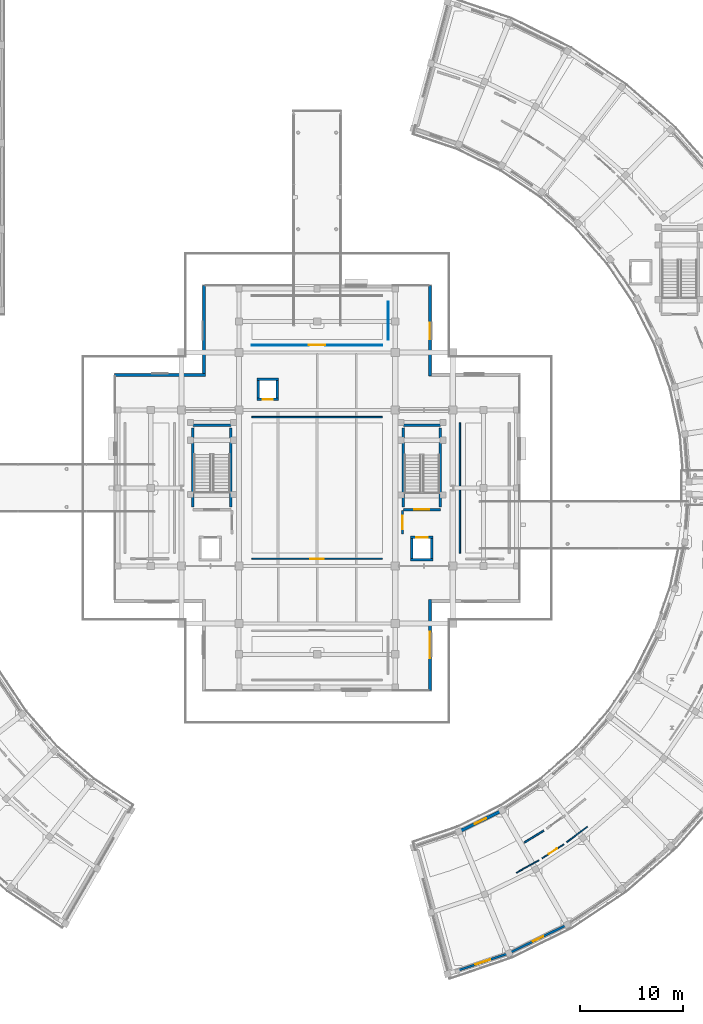
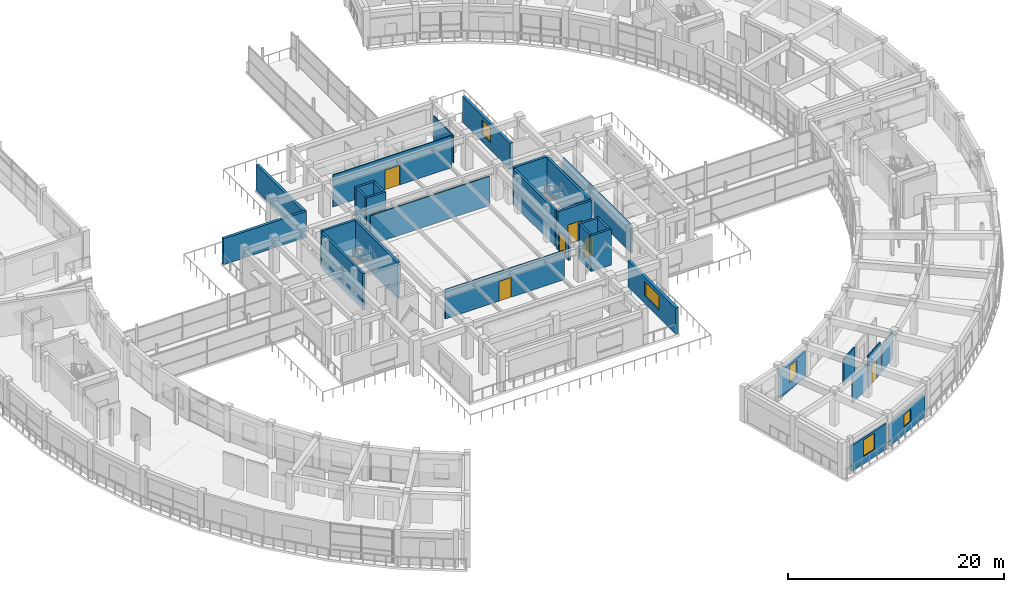
# One storey, part 49 of 72: 32 walls, 7 doors, 5 windows, 12 openings.
"""IFC4 building model written with IfcOpenShell, lengths in metres."""

from ifc_helpers import new_model, si_unit, direction, frame, frame_2d, origin, place, context, subcontext, project, spatial, rectangle, extrude, material, layer, layer_set, type_object, element, fill, save


model = new_model("IFC4")

# Units and contexts
model_context = context("Model", 3, precision=1e-05, world=origin(), true_north=direction((0.0, 1.0)))
body_context = subcontext(model_context, "Body", "Model", "MODEL_VIEW")
ifc_project = project(units=[si_unit("LENGTHUNIT", "METRE"), si_unit("AREAUNIT", "SQUARE_METRE"), si_unit("VOLUMEUNIT", "CUBIC_METRE"), si_unit("PLANEANGLEUNIT", "RADIAN"), si_unit("MASSUNIT", "GRAM", prefix="KILO")], contexts=[model_context])

# Site, building, storey
site_placement = place(None, origin())
site = spatial("IfcSite", under=ifc_project, at=site_placement, CompositionType="ELEMENT")
building_placement = place(site_placement, origin())
building = spatial("IfcBuilding", under=site, at=building_placement, Name="Saryqyr Civic Hall", CompositionType="ELEMENT")
storey_placement = place(building_placement, frame((0.0, 0.0, 17.25)))
storey = spatial("IfcBuildingStorey", under=building, at=storey_placement, Name="L04", CompositionType="ELEMENT", Elevation=17.25)

# Wall, opening, window
ifc_material_1 = material(Name="Precast concrete C40/50", Category="concrete")
ifc_layer_1 = layer(ifc_material_1, 0.219970703125, Name="Precast concrete C40/50")
ifc_layer_set_1 = layer_set([ifc_layer_1], Name="Precast concrete C40/50")
wall_type_1 = type_object("IfcWallType", Name="ENV-WAL-EXT-220", PredefinedType="STANDARD", material=ifc_layer_set_1)
wall_1_placement = place(storey_placement, frame((75.44140625, 38.619384765625, 0.0), z_axis=(0.0, 0.0, 1.0), x_axis=(-0.947186506556, -0.320683210969, 0.0)))
wall_1 = element("IfcWall", 1, at=wall_1_placement, inside=storey, type_object=wall_type_1, Name="Exterior wall V5-EWO-L04-00", PredefinedType="STANDARD", context=body_context, shape_type="SweptSolid", body=[
    extrude(rectangle(XDim=4.87841796875, YDim=0.219970703125, at=frame_2d((2.439208984375, 0.0))), origin(), (0.0, 0.0, 1.0), 2.93505859375),
])
opening_1_placement = place(wall_1_placement, frame((1.68896484375, 0.0, 0.85009765625)))
opening_1 = element("IfcOpeningElement", 2, at=opening_1_placement, cuts=wall_1, Name="Opening W-26", PredefinedType="OPENING", context=body_context, shape_type="SweptSolid", body=[
    extrude(rectangle(XDim=1.5, YDim=1.85009765625, at=frame_2d((0.75, 0.925048828125))), frame((0.0, 0.119873046875, 0.0), z_axis=(0.0, -1.0, 0.0), x_axis=(1.0, 0.0, 0.0)), (0.0, 0.0, 1.0), 0.239990234375),
])
ifc_material_2 = material(Name="Anodised aluminium and triple low-E glass", Category="aluminium")
window_type_1 = type_object("IfcWindowType", Name="ENV-WIN-W26", PartitioningType="SINGLE_PANEL", PredefinedType="WINDOW", material=ifc_material_2)
window_1_placement = place(opening_1_placement, origin())
window_1 = element("IfcWindow", 3, at=window_1_placement, inside=storey, type_object=window_type_1, Name="Exterior ribbon window V5-L04-00", OverallHeight=1.85009765625, OverallWidth=1.5, PartitioningType="SINGLE_PANEL", PredefinedType="WINDOW", context=body_context, shape_type="SweptSolid", body=[
    extrude(rectangle(XDim=1.5, YDim=1.85009765625, at=frame_2d((0.75, 0.925048828125))), frame((0.0, 0.030029296875, 0.0), z_axis=(0.0, -1.0, 0.0), x_axis=(1.0, 0.0, 0.0)), (0.0, 0.0, 1.0), 0.06005859375),
])
fill(opening_1, window_1)

wall_2_placement = place(storey_placement, frame((81.1240234375, 41.368408203125, 0.0), z_axis=(0.0, 0.0, 1.0), x_axis=(-0.897990135392, -0.440015586927, 0.0)))
wall_2 = element("IfcWall", 4, at=wall_2_placement, inside=storey, type_object=wall_type_1, Name="Exterior wall V5-EWO-L04-01", PredefinedType="STANDARD", context=body_context, shape_type="SweptSolid", body=[
    extrude(rectangle(XDim=5.8046875, YDim=0.219970703125, at=frame_2d((2.90234375, 0.0))), origin(), (0.0, 0.0, 1.0), 2.449951171875),
])
opening_2_placement = place(wall_2_placement, frame((2.35205078125, 0.0, 0.85009765625)))
opening_2 = element("IfcOpeningElement", 5, at=opening_2_placement, cuts=wall_2, Name="Opening W-01", PredefinedType="OPENING", context=body_context, shape_type="SweptSolid", body=[
    extrude(rectangle(XDim=1.10009765625, YDim=1.35009765625, at=frame_2d((0.550048828125, 0.675048828125))), frame((0.0, 0.119873046875, 0.0), z_axis=(0.0, -1.0, 0.0), x_axis=(1.0, 0.0, 0.0)), (0.0, 0.0, 1.0), 0.239990234375),
])
window_type_2 = type_object("IfcWindowType", Name="ENV-WIN-W01", PartitioningType="SINGLE_PANEL", PredefinedType="WINDOW", material=ifc_material_2)
window_2_placement = place(opening_2_placement, origin())
window_2 = element("IfcWindow", 6, at=window_2_placement, inside=storey, type_object=window_type_2, Name="Exterior ribbon window V5-L04-01", OverallHeight=1.35009765625, OverallWidth=1.10009765625, PartitioningType="SINGLE_PANEL", PredefinedType="WINDOW", context=body_context, shape_type="SweptSolid", body=[
    extrude(rectangle(XDim=1.10009765625, YDim=1.35009765625, at=frame_2d((0.550048828125, 0.675048828125))), frame((0.0, 0.030029296875, 0.0), z_axis=(0.0, -1.0, 0.0), x_axis=(1.0, 0.0, 0.0)), (0.0, 0.0, 1.0), 0.06005859375),
])
fill(opening_2, window_2)

# Walls
ifc_layer_2 = layer(ifc_material_1, 0.2900390625, Name="Precast concrete C40/50")
ifc_layer_set_2 = layer_set([ifc_layer_2], Name="Precast concrete C40/50")
wall_type_2 = type_object("IfcWallType", Name="ENV-WAL-EXT-290", PredefinedType="STANDARD", material=ifc_layer_set_2)
for number, where, z_axis, x_axis, name in (
    (7, (37.280029296875, 95.0, 0.0), (0.0, 0.0, 1.0), (1.0, 0.0, 0.0), "Exterior wall V1-EW-L04-03"),
    (8, (46.0, 94.8798828125, 0.0), (0.0, 0.0, 1.0), (0.0, 1.0, 0.0), "Exterior wall V1-EW-L04-04"),
):
    element("IfcWall", number, at=place(storey_placement, frame(where, z_axis=z_axis, x_axis=x_axis)), inside=storey, type_object=wall_type_2, Name=name, PredefinedType="STANDARD", context=body_context, shape_type="SweptSolid", body=[
        extrude(rectangle(XDim=8.840087890625, YDim=0.2900390625, at=frame_2d((4.419921875, 0.0))), origin(), (0.0, 0.0, 1.0), 2.93505859375),
    ])

# Wall, opening, window
wall_3_placement = place(storey_placement, frame((68.0, 103.719970703125, 0.0), z_axis=(0.0, 0.0, 1.0), x_axis=(0.0, -1.0, 0.0)))
wall_3 = element("IfcWall", 9, at=wall_3_placement, inside=storey, type_object=wall_type_2, Name="Exterior wall V1-EW-L04-06", PredefinedType="STANDARD", context=body_context, shape_type="SweptSolid", body=[
    extrude(rectangle(XDim=8.840087890625, YDim=0.2900390625, at=frame_2d((4.419921875, 0.0))), origin(), (0.0, 0.0, 1.0), 2.93505859375),
])
opening_3_placement = place(wall_3_placement, frame((3.6201171875, 0.0, 0.85009765625)))
opening_3 = element("IfcOpeningElement", 10, at=opening_3_placement, cuts=wall_3, Name="Opening W-19", PredefinedType="OPENING", context=body_context, shape_type="SweptSolid", body=[
    extrude(rectangle(XDim=1.60009765625, YDim=1.64990234375, at=frame_2d((0.800048828125, 0.824951171875))), frame((0.0, 0.155029296875, 0.0), z_axis=(0.0, -1.0, 0.0), x_axis=(1.0, 0.0, 0.0)), (0.0, 0.0, 1.0), 0.31005859375),
])
window_type_3 = type_object("IfcWindowType", Name="ENV-WIN-W19", PartitioningType="SINGLE_PANEL", PredefinedType="WINDOW", material=ifc_material_2)
window_3_placement = place(opening_3_placement, origin())
window_3 = element("IfcWindow", 11, at=window_3_placement, inside=storey, type_object=window_type_3, Name="Chamber cluster window L04-06", OverallHeight=1.64990234375, OverallWidth=1.60009765625, PartitioningType="SINGLE_PANEL", PredefinedType="WINDOW", context=body_context, shape_type="SweptSolid", body=[
    extrude(rectangle(XDim=1.60009765625, YDim=1.64990234375, at=frame_2d((0.800048828125, 0.824951171875))), frame((0.0, 0.030029296875, 0.0), z_axis=(0.0, -1.0, 0.0), x_axis=(1.0, 0.0, 0.0)), (0.0, 0.0, 1.0), 0.06005859375),
])
fill(opening_3, window_3)

wall_4_placement = place(storey_placement, frame((68.0, 73.1201171875, 0.0), z_axis=(0.0, 0.0, 1.0), x_axis=(0.0, -1.0, 0.0)))
wall_4 = element("IfcWall", 12, at=wall_4_placement, inside=storey, type_object=wall_type_2, Name="Exterior wall V1-EW-L04-10", PredefinedType="STANDARD", context=body_context, shape_type="SweptSolid", body=[
    extrude(rectangle(XDim=8.840087890625, YDim=0.2900390625, at=frame_2d((4.419921875, 0.0))), origin(), (0.0, 0.0, 1.0), 2.93505859375),
])
opening_4_placement = place(wall_4_placement, frame((3.1201171875, 0.0, 0.85009765625)))
opening_4 = element("IfcOpeningElement", 13, at=opening_4_placement, cuts=wall_4, Name="Opening W-23", PredefinedType="OPENING", context=body_context, shape_type="SweptSolid", body=[
    extrude(rectangle(XDim=2.60009765625, YDim=1.64990234375, at=frame_2d((1.300048828125, 0.824951171875))), frame((0.0, 0.155029296875, 0.0), z_axis=(0.0, -1.0, 0.0), x_axis=(1.0, 0.0, 0.0)), (0.0, 0.0, 1.0), 0.31005859375),
])
window_type_4 = type_object("IfcWindowType", Name="ENV-WIN-W23", PartitioningType="SINGLE_PANEL", PredefinedType="WINDOW", material=ifc_material_2)
window_4_placement = place(opening_4_placement, origin())
window_4 = element("IfcWindow", 14, at=window_4_placement, inside=storey, type_object=window_type_4, Name="Chamber cluster window L04-10", OverallHeight=1.64990234375, OverallWidth=2.60009765625, PartitioningType="SINGLE_PANEL", PredefinedType="WINDOW", context=body_context, shape_type="SweptSolid", body=[
    extrude(rectangle(XDim=2.60009765625, YDim=1.64990234375, at=frame_2d((1.300048828125, 0.824951171875))), frame((0.0, 0.030029296875, 0.0), z_axis=(0.0, -1.0, 0.0), x_axis=(1.0, 0.0, 0.0)), (0.0, 0.0, 1.0), 0.06005859375),
])
fill(opening_4, window_4)

ifc_layer_3 = layer(ifc_material_1, 0.31005859375, Name="Precast concrete C40/50")
ifc_layer_set_3 = layer_set([ifc_layer_3], Name="Precast concrete C40/50")
wall_type_3 = type_object("IfcWallType", Name="ENV-WAL-EXT-310", PredefinedType="STANDARD", material=ifc_layer_set_3)
wall_5_placement = place(storey_placement, frame((71.03271484375, 50.647705078125, 0.0), z_axis=(0.0, 0.0, 1.0), x_axis=(0.897962186219, 0.440072621417, 0.0)))
wall_5 = element("IfcWall", 15, at=wall_5_placement, inside=storey, type_object=wall_type_3, Name="Exterior wall V5-EWI-L04-01", PredefinedType="STANDARD", context=body_context, shape_type="SweptSolid", body=[
    extrude(rectangle(XDim=4.15185546875, YDim=0.31005859375, at=frame_2d((2.075927734375, 0.0))), origin(), (0.0, 0.0, 1.0), 2.93505859375),
])
opening_5_placement = place(wall_5_placement, frame((1.450927734375, 0.0, 0.85009765625)))
opening_5 = element("IfcOpeningElement", 16, at=opening_5_placement, cuts=wall_5, Name="Opening W-25", PredefinedType="OPENING", context=body_context, shape_type="SweptSolid", body=[
    extrude(rectangle(XDim=1.25, YDim=1.85009765625, at=frame_2d((0.625, 0.925048828125))), frame((0.0, 0.1650390625, 0.0), z_axis=(0.0, -1.0, 0.0), x_axis=(1.0, 0.0, 0.0)), (0.0, 0.0, 1.0), 0.330078125),
])
window_type_5 = type_object("IfcWindowType", Name="ENV-WIN-W25", PartitioningType="SINGLE_PANEL", PredefinedType="WINDOW", material=ifc_material_2)
window_5_placement = place(opening_5_placement, origin())
window_5 = element("IfcWindow", 17, at=window_5_placement, inside=storey, type_object=window_type_5, Name="Courtyard window V5-L04-01", OverallHeight=1.85009765625, OverallWidth=1.25, PartitioningType="SINGLE_PANEL", PredefinedType="WINDOW", context=body_context, shape_type="SweptSolid", body=[
    extrude(rectangle(XDim=1.25, YDim=1.85009765625, at=frame_2d((0.625, 0.925048828125))), frame((0.0, 0.030029296875, 0.0), z_axis=(0.0, -1.0, 0.0), x_axis=(1.0, 0.0, 0.0)), (0.0, 0.0, 1.0), 0.06005859375),
])
fill(opening_5, window_5)

# Wall, opening, door
ifc_material_3 = material(Name="Autoclaved aerated concrete blockwork", Category="masonry")
ifc_layer_4 = layer(ifc_material_3, 0.199951171875, Name="Autoclaved aerated concrete blockwork")
ifc_layer_set_4 = layer_set([ifc_layer_4], Name="Autoclaved aerated concrete blockwork")
wall_type_4 = type_object("IfcWallType", Name="INT-WAL-FIR-200", PredefinedType="PARTITIONING", material=ifc_layer_set_4)
wall_6_placement = place(storey_placement, frame((65.300048828125, 79.5, 0.0), z_axis=(0.0, 0.0, 1.0), x_axis=(0.0, 1.0, 0.0)))
wall_6 = element("IfcWall", 18, at=wall_6_placement, inside=storey, type_object=wall_type_4, Name="Firefighting lift lobby enclosure wall LF-02 L04", PredefinedType="PARTITIONING", context=body_context, shape_type="SweptSolid", body=[
    extrude(rectangle(XDim=2.300048828125, YDim=0.199951171875, at=frame_2d((1.14990234375, 0.0))), origin(), (0.0, 0.0, 1.0), 2.89990234375),
])
opening_6_placement = place(wall_6_placement, frame((0.5, 0.0, 0.0)))
opening_6 = element("IfcOpeningElement", 19, at=opening_6_placement, cuts=wall_6, Name="Opening FD-01", PredefinedType="OPENING", context=body_context, shape_type="SweptSolid", body=[
    extrude(rectangle(XDim=1.300048828125, YDim=2.199951171875, at=frame_2d((0.64990234375, 1.10009765625))), frame((0.0, 0.10986328125, 0.0), z_axis=(0.0, -1.0, 0.0), x_axis=(1.0, 0.0, 0.0)), (0.0, 0.0, 1.0), 0.219970703125),
])
ifc_material_4 = material(Name="Painted galvanized steel", Category="steel")
door_type_1 = type_object("IfcDoorType", Name="INT-DR-FFLOB-1300x2200", OperationType="NOTDEFINED", PredefinedType="DOOR", material=ifc_material_4)
door_1_placement = place(opening_6_placement, origin())
door_1 = element("IfcDoor", 20, at=door_1_placement, inside=storey, type_object=door_type_1, Name="Firefighting lift lobby smoke-control door LF-02 L04", OperationType="SINGLE_SWING_LEFT", OverallHeight=2.199951171875, OverallWidth=1.300048828125, PredefinedType="DOOR", context=body_context, shape_type="SweptSolid", body=[
    extrude(rectangle(XDim=1.300048828125, YDim=2.199951171875, at=frame_2d((0.64990234375, 1.10009765625))), frame((0.0, 0.02490234375, 0.0), z_axis=(0.0, -1.0, 0.0), x_axis=(1.0, 0.0, 0.0)), (0.0, 0.0, 1.0), 0.050048828125),
])
fill(opening_6, door_1)

ifc_material_5 = material(Name="Lightweight demountable partition", Category="gypsum")
ifc_layer_5 = layer(ifc_material_5, 0.094970703125, Name="Lightweight demountable partition")
ifc_layer_set_5 = layer_set([ifc_layer_5], Name="Lightweight demountable partition")
wall_type_5 = type_object("IfcWallType", Name="INT-WAL-PRT-095", PredefinedType="PARTITIONING", material=ifc_layer_set_5)
wall_7_placement = place(storey_placement, frame((63.35009765625, 97.89990234375, 0.0), z_axis=(0.0, 0.0, 1.0), x_axis=(-1.0, 0.0, 0.0)))
wall_7 = element("IfcWall", 21, at=wall_7_placement, inside=storey, type_object=wall_type_5, Name="Interior partition PRT-SP-V1-L04-R03-W1", PredefinedType="PARTITIONING", context=body_context, shape_type="SweptSolid", body=[
    extrude(rectangle(XDim=12.7001953125, YDim=0.094970703125, at=frame_2d((6.35009765625, 0.0))), origin(), (0.0, 0.0, 1.0), 3.6201171875),
])
opening_7_placement = place(wall_7_placement, frame((5.550048828125, 0.0, 0.0)))
opening_7 = element("IfcOpeningElement", 22, at=opening_7_placement, cuts=wall_7, Name="Opening D-14", PredefinedType="OPENING", context=body_context, shape_type="SweptSolid", body=[
    extrude(rectangle(XDim=1.60009765625, YDim=2.219970703125, at=frame_2d((0.800048828125, 1.10986328125))), frame((0.0, 0.057373046875, 0.0), z_axis=(0.0, -1.0, 0.0), x_axis=(1.0, 0.0, 0.0)), (0.0, 0.0, 1.0), 0.114990234375),
])
ifc_material_6 = material(Name="Acoustic solid-core oak veneer", Category="wood")
door_type_2 = type_object("IfcDoorType", Name="INT-DR-D-14", OperationType="NOTDEFINED", PredefinedType="DOOR", material=ifc_material_6)
door_2_placement = place(opening_7_placement, origin())
door_2 = element("IfcDoor", 23, at=door_2_placement, inside=storey, type_object=door_type_2, Name="Interior door Media Broadcast Control Room", OperationType="DOUBLE_DOOR_SINGLE_SWING", OverallHeight=2.219970703125, OverallWidth=1.60009765625, PredefinedType="DOOR", context=body_context, shape_type="SweptSolid", body=[
    extrude(rectangle(XDim=1.60009765625, YDim=2.219970703125, at=frame_2d((0.800048828125, 1.10986328125))), frame((0.0, 0.02490234375, 0.0), z_axis=(0.0, -1.0, 0.0), x_axis=(1.0, 0.0, 0.0)), (0.0, 0.0, 1.0), 0.050048828125),
])
fill(opening_7, door_2)

# Wall
wall_8_placement = place(storey_placement, frame((63.89990234375, 102.14990234375, 0.0), z_axis=(0.0, 0.0, 1.0), x_axis=(0.0, -1.0, 0.0)))
element("IfcWall", 24, at=wall_8_placement, inside=storey, type_object=wall_type_5, Name="Interior partition PRT-SP-V1-L04-R03-W3", PredefinedType="PARTITIONING", context=body_context, shape_type="SweptSolid", body=[
    extrude(rectangle(XDim=3.699951171875, YDim=0.094970703125, at=frame_2d((1.85009765625, 0.0))), origin(), (0.0, 0.0, 1.0), 3.0849609375),
])

# Wall, opening, door
ifc_material_7 = material(Name="Moisture-resistant gypsum partition", Category="gypsum")
ifc_layer_6 = layer(ifc_material_7, 0.110107421875, Name="Moisture-resistant gypsum partition")
ifc_layer_set_6 = layer_set([ifc_layer_6], Name="Moisture-resistant gypsum partition")
wall_type_6 = type_object("IfcWallType", Name="INT-WAL-PRT-110", PredefinedType="PARTITIONING", material=ifc_layer_set_6)
wall_9_placement = place(storey_placement, frame((78.90234375, 47.935791015625, 0.0), z_axis=(0.0, 0.0, 1.0), x_axis=(0.838895447459, 0.544292594321, 0.0)))
wall_9 = element("IfcWall", 25, at=wall_9_placement, inside=storey, type_object=wall_type_6, Name="Interior partition PRT-SP-V5-L04-R01-W1", PredefinedType="PARTITIONING", context=body_context, shape_type="SweptSolid", body=[
    extrude(rectangle(XDim=2.516845703125, YDim=0.110107421875, at=frame_2d((1.25830078125, 0.0))), origin(), (0.0, 0.0, 1.0), 3.6201171875),
])
opening_8_placement = place(wall_9_placement, frame((0.782958984375, 0.0, 0.0)))
opening_8 = element("IfcOpeningElement", 26, at=opening_8_placement, cuts=wall_9, Name="Opening D-02", PredefinedType="OPENING", context=body_context, shape_type="SweptSolid", body=[
    extrude(rectangle(XDim=0.949951171875, YDim=2.10009765625, at=frame_2d((0.47509765625, 1.050048828125))), frame((0.0, 0.06494140625, 0.0), z_axis=(0.0, -1.0, 0.0), x_axis=(1.0, 0.0, 0.0)), (0.0, 0.0, 1.0), 0.130126953125),
])
door_type_3 = type_object("IfcDoorType", Name="INT-DR-D-02", OperationType="NOTDEFINED", PredefinedType="DOOR", material=ifc_material_6)
door_3_placement = place(opening_8_placement, origin())
door_3 = element("IfcDoor", 27, at=door_3_placement, inside=storey, type_object=door_type_3, Name="Interior door Smart-City Digital Twin & IT Suite", OperationType="SINGLE_SWING_LEFT", OverallHeight=2.10009765625, OverallWidth=0.949951171875, PredefinedType="DOOR", context=body_context, shape_type="SweptSolid", body=[
    extrude(rectangle(XDim=0.949951171875, YDim=2.10009765625, at=frame_2d((0.47509765625, 1.050048828125))), frame((0.0, 0.02490234375, 0.0), z_axis=(0.0, -1.0, 0.0), x_axis=(1.0, 0.0, 0.0)), (0.0, 0.0, 1.0), 0.050048828125),
])
fill(opening_8, door_3)

# Walls
for number, where, z_axis, x_axis, name in (
    (28, (76.394287109375, 46.527099609375, 0.0), (0.0, 0.0, 1.0), (0.8739741943, 0.485972332235, 0.0), "Interior partition PRT-SP-V5-L04-R01-W2"),
    (29, (81.30859375, 49.51171875, 0.0), (0.0, 0.0, 1.0), (0.799802067317, 0.600263819595, 0.0), "Interior partition PRT-SP-V5-L04-R01-W3"),
):
    element("IfcWall", number, at=place(storey_placement, frame(where, z_axis=z_axis, x_axis=x_axis)), inside=storey, type_object=wall_type_6, Name=name, PredefinedType="PARTITIONING", context=body_context, shape_type="SweptSolid", body=[
        extrude(rectangle(XDim=2.516845703125, YDim=0.110107421875, at=frame_2d((1.25830078125, 0.0))), origin(), (0.0, 0.0, 1.0), 2.93505859375),
    ])

# Wall, opening, door
ifc_material_8 = material(Name="Metal-stud gypsum board partition", Category="gypsum")
ifc_layer_7 = layer(ifc_material_8, 0.125, Name="Metal-stud gypsum board partition")
ifc_layer_set_7 = layer_set([ifc_layer_7], Name="Metal-stud gypsum board partition")
wall_type_7 = type_object("IfcWallType", Name="INT-WAL-PRT-125", PredefinedType="PARTITIONING", material=ifc_layer_set_7)
wall_10_placement = place(storey_placement, frame((63.35009765625, 77.10009765625, 0.0), z_axis=(0.0, 0.0, 1.0), x_axis=(-1.0, 0.0, 0.0)))
wall_10 = element("IfcWall", 30, at=wall_10_placement, inside=storey, type_object=wall_type_7, Name="Interior partition PRT-SP-V1-L04-R01-W1", PredefinedType="PARTITIONING", context=body_context, shape_type="SweptSolid", body=[
    extrude(rectangle(XDim=12.7001953125, YDim=0.125, at=frame_2d((6.35009765625, 0.0))), origin(), (0.0, 0.0, 1.0), 3.284912109375),
])
opening_9_placement = place(wall_10_placement, frame((5.699951171875, 0.0, 0.0)))
opening_9 = element("IfcOpeningElement", 31, at=opening_9_placement, cuts=wall_10, Name="Opening D-12", PredefinedType="OPENING", context=body_context, shape_type="SweptSolid", body=[
    extrude(rectangle(XDim=1.300048828125, YDim=2.219970703125, at=frame_2d((0.64990234375, 1.10986328125))), frame((0.0, 0.072509765625, 0.0), z_axis=(0.0, -1.0, 0.0), x_axis=(1.0, 0.0, 0.0)), (0.0, 0.0, 1.0), 0.14501953125),
])
door_type_4 = type_object("IfcDoorType", Name="INT-DR-D-12", OperationType="NOTDEFINED", PredefinedType="DOOR", material=ifc_material_6)
door_4_placement = place(opening_9_placement, origin())
door_4 = element("IfcDoor", 32, at=door_4_placement, inside=storey, type_object=door_type_4, Name="Interior door Council Pre-Session Assembly Lobby", OperationType="SINGLE_SWING_LEFT", OverallHeight=2.219970703125, OverallWidth=1.300048828125, PredefinedType="DOOR", context=body_context, shape_type="SweptSolid", body=[
    extrude(rectangle(XDim=1.300048828125, YDim=2.219970703125, at=frame_2d((0.64990234375, 1.10986328125))), frame((0.0, 0.02490234375, 0.0), z_axis=(0.0, -1.0, 0.0), x_axis=(1.0, 0.0, 0.0)), (0.0, 0.0, 1.0), 0.050048828125),
])
fill(opening_9, door_4)

# Walls
wall_11_placement = place(storey_placement, frame((50.64990234375, 90.89990234375, 0.0), z_axis=(0.0, 0.0, 1.0), x_axis=(1.0, 0.0, 0.0)))
element("IfcWall", 33, at=wall_11_placement, inside=storey, type_object=wall_type_7, Name="Interior partition PRT-SP-V1-L04-R01-W2", PredefinedType="PARTITIONING", context=body_context, shape_type="SweptSolid", body=[
    extrude(rectangle(XDim=12.7001953125, YDim=0.125, at=frame_2d((6.35009765625, 0.0))), origin(), (0.0, 0.0, 1.0), 3.284912109375),
])
ifc_material_9 = material(Name="Acoustic double-stud gypsum board", Category="gypsum")
ifc_layer_8 = layer(ifc_material_9, 0.155029296875, Name="Acoustic double-stud gypsum board")
ifc_layer_set_8 = layer_set([ifc_layer_8], Name="Acoustic double-stud gypsum board")
wall_type_8 = type_object("IfcWallType", Name="INT-WAL-PRT-155", PredefinedType="PARTITIONING", material=ifc_layer_set_8)
wall_12_placement = place(storey_placement, frame((79.048095703125, 50.631591796875, 0.0), z_axis=(0.0, 0.0, 1.0), x_axis=(-0.849164067555, -0.52812913797, 0.0)))
element("IfcWall", 34, at=wall_12_placement, inside=storey, type_object=wall_type_8, Name="Interior partition PRT-SP-V5-L04-R04-W2", PredefinedType="PARTITIONING", context=body_context, shape_type="SweptSolid", body=[
    extrude(rectangle(XDim=2.1962890625, YDim=0.155029296875, at=frame_2d((1.09814453125, 0.0))), origin(), (0.0, 0.0, 1.0), 2.93505859375),
])
wall_13_placement = place(storey_placement, frame((70.89990234375, 77.64990234375, 0.0), z_axis=(0.0, 0.0, 1.0), x_axis=(0.0, 1.0, 0.0)))
element("IfcWall", 35, at=wall_13_placement, inside=storey, type_object=wall_type_8, Name="Interior partition PRT-SP-V1-L04-R05-W2", PredefinedType="PARTITIONING", context=body_context, shape_type="SweptSolid", body=[
    extrude(rectangle(XDim=12.7001953125, YDim=0.155029296875, at=frame_2d((6.35009765625, 0.0))), origin(), (0.0, 0.0, 1.0), 3.0849609375),
])
ifc_material_10 = material(Name="Concrete C40/50", Category="concrete")
ifc_layer_9 = layer(ifc_material_10, 0.239990234375, Name="Concrete C40/50")
ifc_layer_set_9 = layer_set([ifc_layer_9], Name="Concrete C40/50")
wall_type_9 = type_object("IfcWallType", Name="INT-WAL-SHR-240", PredefinedType="SHEAR", material=ifc_layer_set_9)
wall_14_placement = place(storey_placement, frame((68.300048828125, 77.02001953125, 0.0), z_axis=(0.0, 0.0, 1.0), x_axis=(-1.0, 0.0, 0.0)))
element("IfcWall", 36, at=wall_14_placement, inside=storey, type_object=wall_type_9, Name="Lift shaft shear wall LF-02-SHW-S-L04", PredefinedType="SHEAR", context=body_context, shape_type="SweptSolid", body=[
    extrude(rectangle(XDim=2.199951171875, YDim=0.239990234375, at=frame_2d((1.10009765625, 0.0))), origin(), (0.0, 0.0, 1.0), 4.050048828125),
])
wall_15_placement = place(storey_placement, frame((68.179931640625, 79.06005859375, 0.0), z_axis=(0.0, 0.0, 1.0), x_axis=(0.0, -1.0, 0.0)))
element("IfcWall", 37, at=wall_15_placement, inside=storey, type_object=wall_type_9, Name="Lift shaft shear wall LF-02-SHW-E-L04", PredefinedType="SHEAR", context=body_context, shape_type="SweptSolid", body=[
    extrude(rectangle(XDim=1.920166015625, YDim=0.239990234375, at=frame_2d((0.9599609375, 0.0))), origin(), (0.0, 0.0, 1.0), 4.050048828125),
])

# Wall, opening, door
wall_16_placement = place(storey_placement, frame((66.10009765625, 79.179931640625, 0.0), z_axis=(0.0, 0.0, 1.0), x_axis=(1.0, 0.0, 0.0)))
wall_16 = element("IfcWall", 38, at=wall_16_placement, inside=storey, type_object=wall_type_9, Name="Lift shaft shear wall LF-02-SHW-N-L04", PredefinedType="SHEAR", context=body_context, shape_type="SweptSolid", body=[
    extrude(rectangle(XDim=2.199951171875, YDim=0.239990234375, at=frame_2d((1.10009765625, 0.0))), origin(), (0.0, 0.0, 1.0), 4.050048828125),
])
opening_10_placement = place(wall_16_placement, frame((0.550048828125, 0.0, 0.0)))
opening_10 = element("IfcOpeningElement", 39, at=opening_10_placement, cuts=wall_16, Name="Opening LD-01", PredefinedType="OPENING", context=body_context, shape_type="SweptSolid", body=[
    extrude(rectangle(XDim=1.10009765625, YDim=2.14990234375, at=frame_2d((0.550048828125, 1.074951171875))), frame((0.0, 0.1298828125, 0.0), z_axis=(0.0, -1.0, 0.0), x_axis=(1.0, 0.0, 0.0)), (0.0, 0.0, 1.0), 0.260009765625),
])
ifc_material_11 = material(Name="Brushed stainless steel", Category="steel")
door_type_5 = type_object("IfcDoorType", Name="INT-DR-LD-1100x2150", OperationType="NOTDEFINED", PredefinedType="DOOR", material=ifc_material_11)
door_5_placement = place(opening_10_placement, origin())
door_5 = element("IfcDoor", 40, at=door_5_placement, inside=storey, type_object=door_type_5, Name="Lift sliding landing door LF-02 L04", OperationType="SLIDING_TO_RIGHT", OverallHeight=2.14990234375, OverallWidth=1.10009765625, PredefinedType="DOOR", context=body_context, shape_type="SweptSolid", body=[
    extrude(rectangle(XDim=1.10009765625, YDim=2.14990234375, at=frame_2d((0.550048828125, 1.074951171875))), frame((0.0, 0.02490234375, 0.0), z_axis=(0.0, -1.0, 0.0), x_axis=(1.0, 0.0, 0.0)), (0.0, 0.0, 1.0), 0.050048828125),
])
fill(opening_10, door_5)

# Wall
wall_17_placement = place(storey_placement, frame((66.219970703125, 77.139892578125, 0.0), z_axis=(0.0, 0.0, 1.0), x_axis=(0.0, 1.0, 0.0)))
element("IfcWall", 41, at=wall_17_placement, inside=storey, type_object=wall_type_9, Name="Lift shaft shear wall LF-02-SHW-W-L04", PredefinedType="SHEAR", context=body_context, shape_type="SweptSolid", body=[
    extrude(rectangle(XDim=1.920166015625, YDim=0.239990234375, at=frame_2d((0.9599609375, 0.0))), origin(), (0.0, 0.0, 1.0), 4.050048828125),
])

# Wall, opening, door
wall_18_placement = place(storey_placement, frame((53.25, 92.6201171875, 0.0), z_axis=(0.0, 0.0, 1.0), x_axis=(-1.0, 0.0, 0.0)))
wall_18 = element("IfcWall", 42, at=wall_18_placement, inside=storey, type_object=wall_type_9, Name="Lift shaft shear wall LF-03-SHW-S-L04", PredefinedType="SHEAR", context=body_context, shape_type="SweptSolid", body=[
    extrude(rectangle(XDim=2.10009765625, YDim=0.239990234375, at=frame_2d((1.050048828125, 0.0))), origin(), (0.0, 0.0, 1.0), 4.050048828125),
])
opening_11_placement = place(wall_18_placement, frame((0.550048828125, 0.0, 0.0)))
opening_11 = element("IfcOpeningElement", 43, at=opening_11_placement, cuts=wall_18, Name="Opening LD-02", PredefinedType="OPENING", context=body_context, shape_type="SweptSolid", body=[
    extrude(rectangle(XDim=1.0, YDim=2.14990234375, at=frame_2d((0.5, 1.074951171875))), frame((0.0, 0.1298828125, 0.0), z_axis=(0.0, -1.0, 0.0), x_axis=(1.0, 0.0, 0.0)), (0.0, 0.0, 1.0), 0.260009765625),
])
door_type_6 = type_object("IfcDoorType", Name="INT-DR-LD-1000x2150", OperationType="NOTDEFINED", PredefinedType="DOOR", material=ifc_material_11)
door_6_placement = place(opening_11_placement, origin())
door_6 = element("IfcDoor", 44, at=door_6_placement, inside=storey, type_object=door_type_6, Name="Lift sliding landing door LF-03 L04", OperationType="SLIDING_TO_LEFT", OverallHeight=2.14990234375, OverallWidth=1.0, PredefinedType="DOOR", context=body_context, shape_type="SweptSolid", body=[
    extrude(rectangle(XDim=1.0, YDim=2.14990234375, at=frame_2d((0.5, 1.074951171875))), frame((0.0, 0.02490234375, 0.0), z_axis=(0.0, -1.0, 0.0), x_axis=(1.0, 0.0, 0.0)), (0.0, 0.0, 1.0), 0.050048828125),
])
fill(opening_11, door_6)

# Walls
wall_19_placement = place(storey_placement, frame((53.1298828125, 94.4599609375, 0.0), z_axis=(0.0, 0.0, 1.0), x_axis=(0.0, -1.0, 0.0)))
element("IfcWall", 45, at=wall_19_placement, inside=storey, type_object=wall_type_9, Name="Lift shaft shear wall LF-03-SHW-E-L04", PredefinedType="SHEAR", context=body_context, shape_type="SweptSolid", body=[
    extrude(rectangle(XDim=1.719970703125, YDim=0.239990234375, at=frame_2d((0.85986328125, 0.0))), origin(), (0.0, 0.0, 1.0), 4.050048828125),
])
wall_20_placement = place(storey_placement, frame((51.14990234375, 94.580078125, 0.0), z_axis=(0.0, 0.0, 1.0), x_axis=(1.0, 0.0, 0.0)))
element("IfcWall", 46, at=wall_20_placement, inside=storey, type_object=wall_type_9, Name="Lift shaft shear wall LF-03-SHW-N-L04", PredefinedType="SHEAR", context=body_context, shape_type="SweptSolid", body=[
    extrude(rectangle(XDim=2.10009765625, YDim=0.239990234375, at=frame_2d((1.050048828125, 0.0))), origin(), (0.0, 0.0, 1.0), 4.050048828125),
])
wall_21_placement = place(storey_placement, frame((51.27001953125, 92.739990234375, 0.0), z_axis=(0.0, 0.0, 1.0), x_axis=(0.0, 1.0, 0.0)))
element("IfcWall", 47, at=wall_21_placement, inside=storey, type_object=wall_type_9, Name="Lift shaft shear wall LF-03-SHW-W-L04", PredefinedType="SHEAR", context=body_context, shape_type="SweptSolid", body=[
    extrude(rectangle(XDim=1.719970703125, YDim=0.239990234375, at=frame_2d((0.85986328125, 0.0))), origin(), (0.0, 0.0, 1.0), 4.050048828125),
])
ifc_layer_10 = layer(ifc_material_10, 0.25, Name="Concrete C40/50")
ifc_layer_set_10 = layer_set([ifc_layer_10], Name="Concrete C40/50")
wall_type_10 = type_object("IfcWallType", Name="INT-WAL-SHR-250", PredefinedType="SHEAR", material=ifc_layer_set_10)
wall_22_placement = place(storey_placement, frame((44.89990234375, 82.14990234375, 0.0), z_axis=(0.0, 0.0, 1.0), x_axis=(0.0, 1.0, 0.0)))
element("IfcWall", 48, at=wall_22_placement, inside=storey, type_object=wall_type_10, Name="Protected stair shaft wall ST-1-SW2-L04", PredefinedType="SHEAR", context=body_context, shape_type="SweptSolid", body=[
    extrude(rectangle(XDim=7.7001953125, YDim=0.25, at=frame_2d((3.85009765625, 0.0))), origin(), (0.0, 0.0, 1.0), 4.050048828125),
])
wall_23_placement = place(storey_placement, frame((44.89990234375, 90.10009765625, 0.0), z_axis=(0.0, 0.0, 1.0), x_axis=(1.0, 0.0, 0.0)))
element("IfcWall", 49, at=wall_23_placement, inside=storey, type_object=wall_type_10, Name="Protected stair shaft wall ST-1-SW3-L04", PredefinedType="SHEAR", context=body_context, shape_type="SweptSolid", body=[
    extrude(rectangle(XDim=3.7001953125, YDim=0.25, at=frame_2d((1.85009765625, 0.0))), origin(), (0.0, 0.0, 1.0), 4.050048828125),
])
wall_24_placement = place(storey_placement, frame((48.60009765625, 89.85009765625, 0.0), z_axis=(0.0, 0.0, 1.0), x_axis=(0.0, -1.0, 0.0)))
element("IfcWall", 50, at=wall_24_placement, inside=storey, type_object=wall_type_10, Name="Protected stair shaft wall ST-1-SW4-L04", PredefinedType="SHEAR", context=body_context, shape_type="SweptSolid", body=[
    extrude(rectangle(XDim=7.7001953125, YDim=0.25, at=frame_2d((3.85009765625, 0.0))), origin(), (0.0, 0.0, 1.0), 4.050048828125),
])

# Wall, opening, door
wall_25_placement = place(storey_placement, frame((69.0, 81.89990234375, 0.0), z_axis=(0.0, 0.0, 1.0), x_axis=(-1.0, 0.0, 0.0)))
wall_25 = element("IfcWall", 51, at=wall_25_placement, inside=storey, type_object=wall_type_10, Name="Protected stair shaft wall ST-2-SW1-L04", PredefinedType="SHEAR", context=body_context, shape_type="SweptSolid", body=[
    extrude(rectangle(XDim=3.60009765625, YDim=0.25, at=frame_2d((1.800048828125, 0.0))), origin(), (0.0, 0.0, 1.0), 4.050048828125),
])
opening_12_placement = place(wall_25_placement, frame((1.074951171875, 0.0, 0.0)))
opening_12 = element("IfcOpeningElement", 52, at=opening_12_placement, cuts=wall_25, Name="Opening SD-02", PredefinedType="OPENING", context=body_context, shape_type="SweptSolid", body=[
    extrude(rectangle(XDim=1.449951171875, YDim=2.199951171875, at=frame_2d((0.72509765625, 1.10009765625))), frame((0.0, 0.135009765625, 0.0), z_axis=(0.0, -1.0, 0.0), x_axis=(1.0, 0.0, 0.0)), (0.0, 0.0, 1.0), 0.27001953125),
])
door_type_7 = type_object("IfcDoorType", Name="INT-DR-STAIR-1450x2200", OperationType="NOTDEFINED", PredefinedType="DOOR", material=ifc_material_4)
door_7_placement = place(opening_12_placement, origin())
door_7 = element("IfcDoor", 53, at=door_7_placement, inside=storey, type_object=door_type_7, Name="Exit stair landing fire door ST-2-L04", OperationType="SINGLE_SWING_LEFT", OverallHeight=2.199951171875, OverallWidth=1.449951171875, PredefinedType="DOOR", context=body_context, shape_type="SweptSolid", body=[
    extrude(rectangle(XDim=1.449951171875, YDim=2.199951171875, at=frame_2d((0.72509765625, 1.10009765625))), frame((0.0, 0.02490234375, 0.0), z_axis=(0.0, -1.0, 0.0), x_axis=(1.0, 0.0, 0.0)), (0.0, 0.0, 1.0), 0.050048828125),
])
fill(opening_12, door_7)

# Walls
wall_26_placement = place(storey_placement, frame((65.39990234375, 82.14990234375, 0.0), z_axis=(0.0, 0.0, 1.0), x_axis=(0.0, 1.0, 0.0)))
element("IfcWall", 54, at=wall_26_placement, inside=storey, type_object=wall_type_10, Name="Protected stair shaft wall ST-2-SW2-L04", PredefinedType="SHEAR", context=body_context, shape_type="SweptSolid", body=[
    extrude(rectangle(XDim=7.7001953125, YDim=0.25, at=frame_2d((3.85009765625, 0.0))), origin(), (0.0, 0.0, 1.0), 4.050048828125),
])
wall_27_placement = place(storey_placement, frame((65.39990234375, 90.10009765625, 0.0), z_axis=(0.0, 0.0, 1.0), x_axis=(1.0, 0.0, 0.0)))
element("IfcWall", 55, at=wall_27_placement, inside=storey, type_object=wall_type_10, Name="Protected stair shaft wall ST-2-SW3-L04", PredefinedType="SHEAR", context=body_context, shape_type="SweptSolid", body=[
    extrude(rectangle(XDim=3.60009765625, YDim=0.25, at=frame_2d((1.800048828125, 0.0))), origin(), (0.0, 0.0, 1.0), 4.050048828125),
])
wall_28_placement = place(storey_placement, frame((69.0, 89.85009765625, 0.0), z_axis=(0.0, 0.0, 1.0), x_axis=(0.0, -1.0, 0.0)))
element("IfcWall", 56, at=wall_28_placement, inside=storey, type_object=wall_type_10, Name="Protected stair shaft wall ST-2-SW4-L04", PredefinedType="SHEAR", context=body_context, shape_type="SweptSolid", body=[
    extrude(rectangle(XDim=7.7001953125, YDim=0.25, at=frame_2d((3.85009765625, 0.0))), origin(), (0.0, 0.0, 1.0), 4.050048828125),
])

save(model, "model.ifc")
